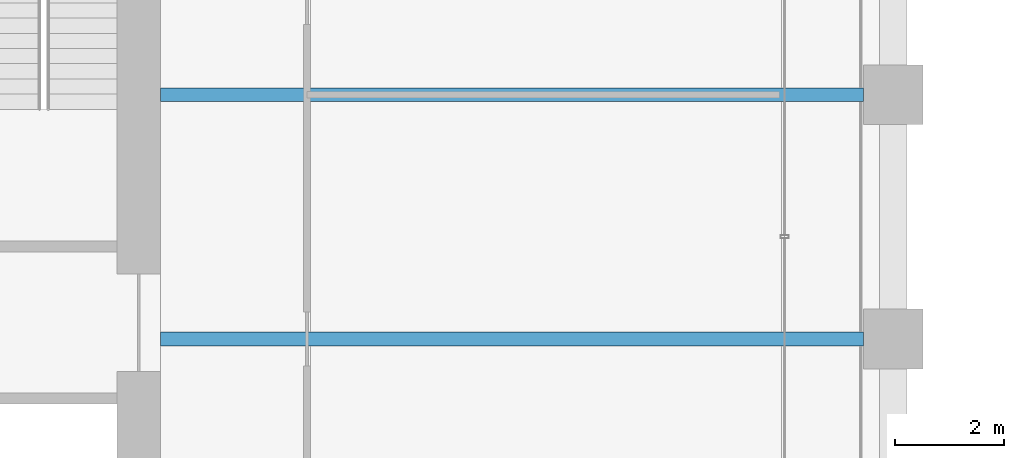
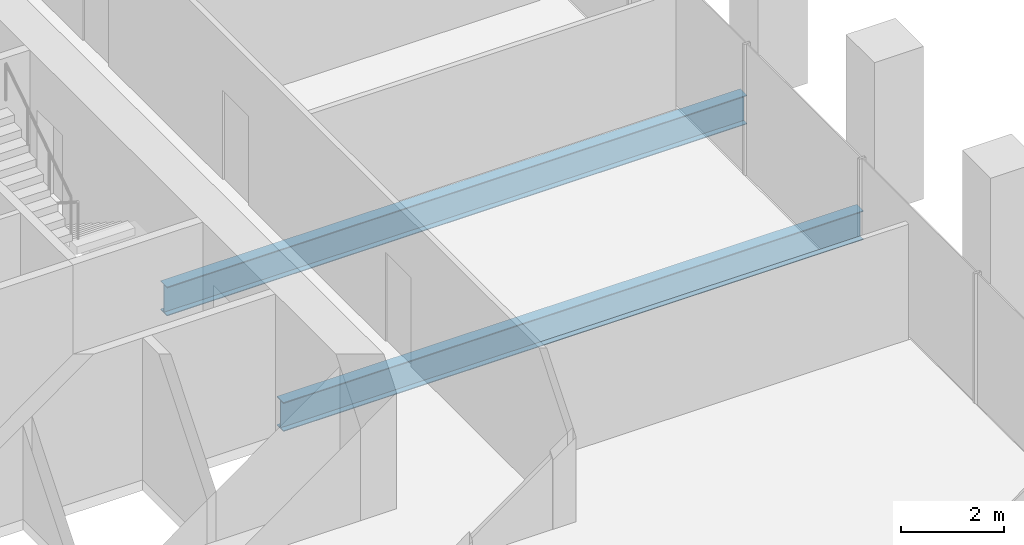
# One storey, part 19 of 56: 2 beams.
"""IFC4 building model written with IfcOpenShell, lengths in metres."""

from ifc_helpers import new_model, si_unit, direction, frame, origin, origin_2d, place, context, subcontext, project, spatial, i_section, extrude, material, material_profile, profile_set, type_object, element, save


model = new_model("IFC4")

# Units and contexts
model_context = context("Model", 3, precision=1e-05, world=origin(), true_north=direction((0.0, 1.0)))
body_context = subcontext(model_context, "Body", "Model", "MODEL_VIEW")
ifc_project = project(units=[si_unit("LENGTHUNIT", "METRE"), si_unit("AREAUNIT", "SQUARE_METRE"), si_unit("VOLUMEUNIT", "CUBIC_METRE"), si_unit("PLANEANGLEUNIT", "RADIAN"), si_unit("MASSUNIT", "GRAM", prefix="KILO")], contexts=[model_context])

# Site, building, storey
site_placement = place(None, origin())
site = spatial("IfcSite", under=ifc_project, at=site_placement, CompositionType="ELEMENT")
building_placement = place(site_placement, origin())
building = spatial("IfcBuilding", under=site, at=building_placement, Name="Altepetl Exchange Towers", CompositionType="ELEMENT")
storey_placement = place(building_placement, frame((0.0, 0.0, 51.0)))
storey = spatial("IfcBuildingStorey", under=building, at=storey_placement, Name="L11", CompositionType="ELEMENT", Elevation=51.0)

# Beams
ifc_material = material(Name="Steel S355", Category="steel")
ifc_material_profile = material_profile(ifc_material, i_section(OverallWidth=0.25390625, OverallDepth=0.68408203125, WebThickness=0.012451171875, FlangeThickness=0.018798828125, at=origin_2d()), Name="W27X94")
ifc_profile_set = profile_set([ifc_material_profile], Name="Steel S355")
beam_type = type_object("IfcBeamType", Name="Floor beam W27X94", PredefinedType="BEAM", material=ifc_profile_set)
for number, where, z_axis, x_axis, name in (
    (1, (58.5, 45.0, -0.491943359375), (1.0, 0.0, 0.0), (0.0, 1.0, 0.0), "bm:A:L11:009"),
    (2, (58.5, 49.5, -0.491943359375), (1.0, 0.0, 0.0), (0.0, 1.0, 0.0), "bm:A:L11:010"),
):
    element("IfcBeam", number, at=place(storey_placement, frame(where, z_axis=z_axis, x_axis=x_axis)), inside=storey, type_object=beam_type, Name=name, PredefinedType="BEAM", context=body_context, shape_type="SweptSolid", body=[
        extrude(i_section(OverallWidth=0.25390625, OverallDepth=0.68408203125, WebThickness=0.012451171875, FlangeThickness=0.018798828125, at=origin_2d()), origin(), (0.0, 0.0, 1.0), 12.949951171875),
    ])

save(model, "model.ifc")
